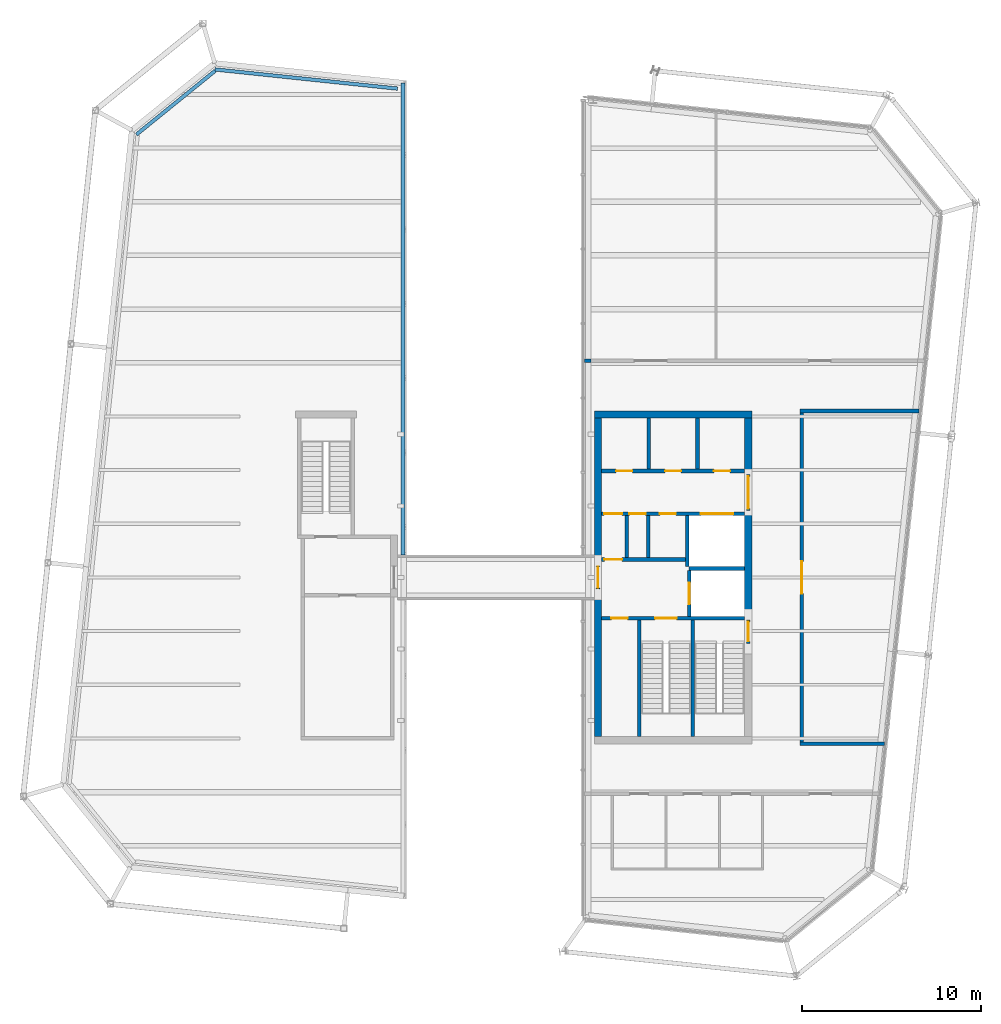
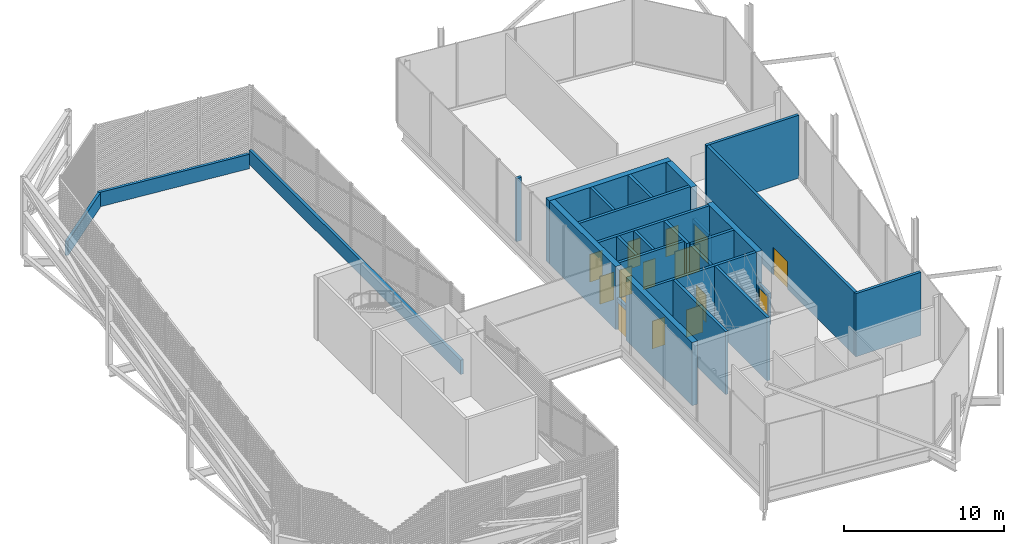
# One storey, part 11 of 15: 28 walls, 15 doors, 15 openings.
"""IFC4 building model written with IfcOpenShell, lengths in metres."""

from ifc_helpers import new_model, si_unit, direction, frame, frame_2d, origin, place, context, subcontext, project, spatial, rectangle, extrude, material, layer, layer_set, type_object, element, fill, save


model = new_model("IFC4")

# Units and contexts
model_context = context("Model", 3, precision=1e-05, world=origin(), true_north=direction((0.0, 1.0)))
body_context = subcontext(model_context, "Body", "Model", "MODEL_VIEW")
ifc_project = project(units=[si_unit("LENGTHUNIT", "METRE"), si_unit("AREAUNIT", "SQUARE_METRE"), si_unit("VOLUMEUNIT", "CUBIC_METRE"), si_unit("PLANEANGLEUNIT", "RADIAN"), si_unit("MASSUNIT", "GRAM", prefix="KILO")], contexts=[model_context])

# Site, building, storey
site_placement = place(None, origin())
site = spatial("IfcSite", under=ifc_project, at=site_placement, CompositionType="ELEMENT")
building_placement = place(site_placement, origin())
building = spatial("IfcBuilding", under=site, at=building_placement, Name="Millrace Tower", CompositionType="ELEMENT")
storey_placement = place(building_placement, frame((0.0, 0.0, 352.10009765625)))
storey = spatial("IfcBuildingStorey", under=building, at=storey_placement, Name="L81", CompositionType="ELEMENT", Elevation=352.10009765625)

# Walls
ifc_material_1 = material(Name="Concrete C60", Category="concrete")
ifc_layer_1 = layer(ifc_material_1, 0.39990234375)
ifc_layer_set_1 = layer_set([ifc_layer_1], Name="Concrete C60")
wall_type_1 = type_object("IfcWallType", Name="Core wall 400 Concrete C60", PredefinedType="SHEAR", material=ifc_layer_set_1)
wall_1_placement = place(storey_placement, frame((14.300048828125, 9.10009765625, 0.0), z_axis=(0.0, 0.0, 1.0), x_axis=(-1.0, 0.0, 0.0)))
element("IfcWall", 1, at=wall_1_placement, inside=storey, type_object=wall_type_1, Name="Core wall E L81", PredefinedType="SHEAR", context=body_context, shape_type="SweptSolid", body=[
    extrude(rectangle(XDim=8.800048828125, YDim=0.39990234375, at=frame_2d((4.39990234375, 0.0))), origin(), (0.0, 0.0, 1.0), 4.7998046875),
])
wall_2_placement = place(storey_placement, frame((14.10009765625, 8.89990234375, 0.0), z_axis=(0.0, 0.0, 1.0), x_axis=(0.0, -1.0, 0.0)))
element("IfcWall", 2, at=wall_2_placement, inside=storey, type_object=wall_type_1, Name="Core wall E L81", PredefinedType="SHEAR", context=body_context, shape_type="SweptSolid", body=[
    extrude(rectangle(XDim=3.14990234375, YDim=0.39990234375, at=frame_2d((1.574951171875, 0.0))), origin(), (0.0, 0.0, 1.0), 4.7998046875),
])
wall_3_placement = place(storey_placement, frame((14.10009765625, 3.75, 0.0), z_axis=(0.0, 0.0, 1.0), x_axis=(0.0, -1.0, 0.0)))
element("IfcWall", 3, at=wall_3_placement, inside=storey, type_object=wall_type_1, Name="Core wall E L81", PredefinedType="SHEAR", context=body_context, shape_type="SweptSolid", body=[
    extrude(rectangle(XDim=6.1298828125, YDim=0.39990234375, at=frame_2d((3.06494140625, 0.0))), origin(), (0.0, 0.0, 1.0), 4.7998046875),
])
for number, where, z_axis, x_axis, name in (
    (4, (5.699951171875, 8.89990234375, 0.0), (0.0, 0.0, 1.0), (0.0, -1.0, 0.0), "Core wall E L81"),
    (5, (5.699951171875, -0.64990234375, 0.0), (0.0, 0.0, 1.0), (0.0, -1.0, 0.0), "Core wall E L81"),
):
    element("IfcWall", number, at=place(storey_placement, frame(where, z_axis=z_axis, x_axis=x_axis)), inside=storey, type_object=wall_type_1, Name=name, PredefinedType="SHEAR", context=body_context, shape_type="SweptSolid", body=[
        extrude(rectangle(XDim=8.25, YDim=0.39990234375, at=frame_2d((4.125, 0.0))), origin(), (0.0, 0.0, 1.0), 4.7998046875),
    ])
ifc_material_2 = material(Name="Masonry partition, fire-rated", Category="masonry")
ifc_layer_2 = layer(ifc_material_2, 0.199951171875)
ifc_layer_set_2 = layer_set([ifc_layer_2], Name="Masonry partition, fire-rated")
wall_type_2 = type_object("IfcWallType", Name="Corridor wall 200", PredefinedType="PARTITIONING", material=ifc_layer_set_2)
wall_4_placement = place(storey_placement, frame((17.0, -9.300048828125, 0.0), z_axis=(0.0, 0.0, 1.0), x_axis=(1.0, 0.0, 0.0)))
element("IfcWall", 6, at=wall_4_placement, inside=storey, type_object=wall_type_2, Name="Corridor wall L81", PredefinedType="PARTITIONING", context=body_context, shape_type="SweptSolid", body=[
    extrude(rectangle(XDim=4.700927734375, YDim=0.199951171875, at=frame_2d((2.3505859375, 0.0))), origin(), (0.0, 0.0, 1.0), 4.7998046875),
])
wall_5_placement = place(storey_placement, frame((17.0, 9.300048828125, 0.0), z_axis=(0.0, 0.0, 1.0), x_axis=(1.0, 0.0, 0.0)))
element("IfcWall", 7, at=wall_5_placement, inside=storey, type_object=wall_type_2, Name="Corridor wall L81", PredefinedType="PARTITIONING", context=body_context, shape_type="SweptSolid", body=[
    extrude(rectangle(XDim=6.656005859375, YDim=0.199951171875, at=frame_2d((3.328125, 0.0))), origin(), (0.0, 0.0, 1.0), 4.7998046875),
])
wall_6_placement = place(storey_placement, frame((4.93994140625, 12.10009765625, 0.0), z_axis=(0.0, 0.0, 1.0), x_axis=(1.0, 0.0, 0.0)))
element("IfcWall", 8, at=wall_6_placement, inside=storey, type_object=wall_type_2, Name="Corridor wall L81", PredefinedType="PARTITIONING", context=body_context, shape_type="SweptSolid", body=[
    extrude(rectangle(XDim=0.367431640625, YDim=0.199951171875, at=frame_2d((0.18359375, 0.0))), origin(), (0.0, 0.0, 1.0), 4.7998046875),
])

# Wall, opening, door
wall_7_placement = place(storey_placement, frame((17.10009765625, -9.199951171875, 0.0), z_axis=(0.0, 0.0, 1.0), x_axis=(0.0, 1.0, 0.0)))
wall_7 = element("IfcWall", 9, at=wall_7_placement, inside=storey, type_object=wall_type_2, Name="Corridor wall L81", PredefinedType="PARTITIONING", context=body_context, shape_type="SweptSolid", body=[
    extrude(rectangle(XDim=18.39990234375, YDim=0.199951171875, at=frame_2d((9.199951171875, 0.0))), origin(), (0.0, 0.0, 1.0), 4.7998046875),
])
opening_1_placement = place(wall_7_placement, frame((8.300048828125, 0.0, 0.0)))
opening_1 = element("IfcOpeningElement", 10, at=opening_1_placement, cuts=wall_7, Name="Opening 81-P003", PredefinedType="OPENING", context=body_context, shape_type="SweptSolid", body=[
    extrude(rectangle(XDim=1.800048828125, YDim=2.10009765625, at=frame_2d((0.89990234375, 1.050048828125))), frame((0.0, 0.10986328125, 0.0), z_axis=(0.0, -1.0, 0.0), x_axis=(1.0, 0.0, 0.0)), (0.0, 0.0, 1.0), 0.219970703125),
])
ifc_material_3 = material(Name="Steel door set, fire-rated", Category="steel")
door_type_1 = type_object("IfcDoorType", Name="Corridor door 1800 x 2100", OperationType="DOUBLE_DOOR_SINGLE_SWING", PredefinedType="DOOR", material=ifc_material_3)
door_1_placement = place(opening_1_placement, frame((1.800048828125, 0.0, 0.0), z_axis=(0.0, 0.0, 1.0), x_axis=(-1.0, 0.0, 0.0)))
door_1 = element("IfcDoor", 11, at=door_1_placement, inside=storey, type_object=door_type_1, Name="Door 81-P003", OperationType="DOUBLE_DOOR_SINGLE_SWING", OverallHeight=2.10009765625, OverallWidth=1.800048828125, PredefinedType="DOOR", context=body_context, shape_type="SweptSolid", body=[
    extrude(rectangle(XDim=1.800048828125, YDim=2.10009765625, at=frame_2d((0.89990234375, 1.050048828125))), frame((0.0, 0.02490234375, 0.0), z_axis=(0.0, -1.0, 0.0), x_axis=(1.0, 0.0, 0.0)), (0.0, 0.0, 1.0), 0.050048828125),
])
fill(opening_1, door_1)

# Wall, openings, doors
ifc_material_4 = material(Name="Masonry partition, fire-rated", Category="masonry")
ifc_layer_3 = layer(ifc_material_4, 0.199951171875)
ifc_layer_set_3 = layer_set([ifc_layer_3], Name="Masonry partition, fire-rated")
wall_type_3 = type_object("IfcWallType", Name="Lift shaft wall 200", PredefinedType="PARTITIONING", material=ifc_layer_set_3)
wall_8_placement = place(storey_placement, frame((13.89990234375, 5.949951171875, 0.0), z_axis=(0.0, 0.0, 1.0), x_axis=(-1.0, 0.0, 0.0)))
wall_8 = element("IfcWall", 12, at=wall_8_placement, inside=storey, type_object=wall_type_3, Name="Lift shaft wall E L81", PredefinedType="PARTITIONING", context=body_context, shape_type="SweptSolid", body=[
    extrude(rectangle(XDim=8.0, YDim=0.199951171875, at=frame_2d((4.0, 0.0))), origin(), (0.0, 0.0, 1.0), 4.7998046875),
])
opening_2_placement = place(wall_8_placement, frame((0.820068359375, 0.0, 0.0)))
opening_2 = element("IfcOpeningElement", 13, at=opening_2_placement, cuts=wall_8, Name="Opening 81-C007", PredefinedType="OPENING", context=body_context, shape_type="SweptSolid", body=[
    extrude(rectangle(XDim=0.89990234375, YDim=2.10009765625, at=frame_2d((0.449951171875, 1.050048828125))), frame((0.0, 0.10986328125, 0.0), z_axis=(0.0, -1.0, 0.0), x_axis=(1.0, 0.0, 0.0)), (0.0, 0.0, 1.0), 0.219970703125),
])
opening_3_placement = place(wall_8_placement, frame((3.550048828125, 0.0, 0.0)))
opening_3 = element("IfcOpeningElement", 14, at=opening_3_placement, cuts=wall_8, Name="Opening 81-C008", PredefinedType="OPENING", context=body_context, shape_type="SweptSolid", body=[
    extrude(rectangle(XDim=0.89990234375, YDim=2.10009765625, at=frame_2d((0.449951171875, 1.050048828125))), frame((0.0, 0.10986328125, 0.0), z_axis=(0.0, -1.0, 0.0), x_axis=(1.0, 0.0, 0.0)), (0.0, 0.0, 1.0), 0.219970703125),
])
opening_4_placement = place(wall_8_placement, frame((6.280029296875, 0.0, 0.0)))
opening_4 = element("IfcOpeningElement", 15, at=opening_4_placement, cuts=wall_8, Name="Opening 81-C009", PredefinedType="OPENING", context=body_context, shape_type="SweptSolid", body=[
    extrude(rectangle(XDim=0.89990234375, YDim=2.10009765625, at=frame_2d((0.449951171875, 1.050048828125))), frame((0.0, 0.10986328125, 0.0), z_axis=(0.0, -1.0, 0.0), x_axis=(1.0, 0.0, 0.0)), (0.0, 0.0, 1.0), 0.219970703125),
])
ifc_material_5 = material(Name="Steel door, fire-rated", Category="steel")
door_type_2 = type_object("IfcDoorType", Name="Service room door 900 x 2100", OperationType="SINGLE_SWING_LEFT", PredefinedType="DOOR", material=ifc_material_5)
door_2_placement = place(opening_2_placement, frame((0.89990234375, 0.0, 0.0), z_axis=(0.0, 0.0, 1.0), x_axis=(-1.0, 0.0, 0.0)))
door_2 = element("IfcDoor", 16, at=door_2_placement, inside=storey, type_object=door_type_2, Name="Service room door 81-C007", OperationType="SINGLE_SWING_RIGHT", OverallHeight=2.10009765625, OverallWidth=0.89990234375, PredefinedType="DOOR", context=body_context, shape_type="SweptSolid", body=[
    extrude(rectangle(XDim=0.89990234375, YDim=2.10009765625, at=frame_2d((0.449951171875, 1.050048828125))), frame((0.0, 0.02490234375, 0.0), z_axis=(0.0, -1.0, 0.0), x_axis=(1.0, 0.0, 0.0)), (0.0, 0.0, 1.0), 0.050048828125),
])
fill(opening_2, door_2)
door_3_placement = place(opening_3_placement, frame((0.89990234375, 0.0, 0.0), z_axis=(0.0, 0.0, 1.0), x_axis=(-1.0, 0.0, 0.0)))
door_3 = element("IfcDoor", 17, at=door_3_placement, inside=storey, type_object=door_type_2, Name="Service room door 81-C008", OperationType="SINGLE_SWING_RIGHT", OverallHeight=2.10009765625, OverallWidth=0.89990234375, PredefinedType="DOOR", context=body_context, shape_type="SweptSolid", body=[
    extrude(rectangle(XDim=0.89990234375, YDim=2.10009765625, at=frame_2d((0.449951171875, 1.050048828125))), frame((0.0, 0.02490234375, 0.0), z_axis=(0.0, -1.0, 0.0), x_axis=(1.0, 0.0, 0.0)), (0.0, 0.0, 1.0), 0.050048828125),
])
fill(opening_3, door_3)
door_4_placement = place(opening_4_placement, frame((0.89990234375, 0.0, 0.0), z_axis=(0.0, 0.0, 1.0), x_axis=(-1.0, 0.0, 0.0)))
door_4 = element("IfcDoor", 18, at=door_4_placement, inside=storey, type_object=door_type_2, Name="Service room door 81-C009", OperationType="SINGLE_SWING_LEFT", OverallHeight=2.10009765625, OverallWidth=0.89990234375, PredefinedType="DOOR", context=body_context, shape_type="SweptSolid", body=[
    extrude(rectangle(XDim=0.89990234375, YDim=2.10009765625, at=frame_2d((0.449951171875, 1.050048828125))), frame((0.0, 0.02490234375, 0.0), z_axis=(0.0, -1.0, 0.0), x_axis=(1.0, 0.0, 0.0)), (0.0, 0.0, 1.0), 0.050048828125),
])
fill(opening_4, door_4)

wall_9_placement = place(storey_placement, frame((13.89990234375, 3.550048828125, 0.0), z_axis=(0.0, 0.0, 1.0), x_axis=(-1.0, 0.0, 0.0)))
wall_9 = element("IfcWall", 19, at=wall_9_placement, inside=storey, type_object=wall_type_3, Name="Lift shaft wall E L81", PredefinedType="PARTITIONING", context=body_context, shape_type="SweptSolid", body=[
    extrude(rectangle(XDim=8.0, YDim=0.199951171875, at=frame_2d((4.0, 0.0))), origin(), (0.0, 0.0, 1.0), 4.7998046875),
])
opening_5_placement = place(wall_9_placement, frame((0.64990234375, 0.0, 0.0)))
opening_5 = element("IfcOpeningElement", 20, at=opening_5_placement, cuts=wall_9, Name="Opening 81-LD13", PredefinedType="OPENING", context=body_context, shape_type="SweptSolid", body=[
    extrude(rectangle(XDim=1.800048828125, YDim=2.10009765625, at=frame_2d((0.89990234375, 1.050048828125))), frame((0.0, 0.10986328125, 0.0), z_axis=(0.0, -1.0, 0.0), x_axis=(1.0, 0.0, 0.0)), (0.0, 0.0, 1.0), 0.219970703125),
])
opening_6_placement = place(wall_9_placement, frame((3.840087890625, 0.0, 0.0)))
opening_6 = element("IfcOpeningElement", 21, at=opening_6_placement, cuts=wall_9, Name="Opening 81-C010", PredefinedType="OPENING", context=body_context, shape_type="SweptSolid", body=[
    extrude(rectangle(XDim=0.89990234375, YDim=2.10009765625, at=frame_2d((0.449951171875, 1.050048828125))), frame((0.0, 0.10986328125, 0.0), z_axis=(0.0, -1.0, 0.0), x_axis=(1.0, 0.0, 0.0)), (0.0, 0.0, 1.0), 0.219970703125),
])
opening_7_placement = place(wall_9_placement, frame((5.5400390625, 0.0, 0.0)))
opening_7 = element("IfcOpeningElement", 22, at=opening_7_placement, cuts=wall_9, Name="Opening 81-C011", PredefinedType="OPENING", context=body_context, shape_type="SweptSolid", body=[
    extrude(rectangle(XDim=0.89990234375, YDim=2.10009765625, at=frame_2d((0.449951171875, 1.050048828125))), frame((0.0, 0.10986328125, 0.0), z_axis=(0.0, -1.0, 0.0), x_axis=(1.0, 0.0, 0.0)), (0.0, 0.0, 1.0), 0.219970703125),
])
opening_8_placement = place(wall_9_placement, frame((6.85009765625, 0.0, 0.0)))
opening_8 = element("IfcOpeningElement", 23, at=opening_8_placement, cuts=wall_9, Name="Opening 81-C012", PredefinedType="OPENING", context=body_context, shape_type="SweptSolid", body=[
    extrude(rectangle(XDim=1.0, YDim=2.10009765625, at=frame_2d((0.5, 1.050048828125))), frame((0.0, 0.10986328125, 0.0), z_axis=(0.0, -1.0, 0.0), x_axis=(1.0, 0.0, 0.0)), (0.0, 0.0, 1.0), 0.219970703125),
])
ifc_material_6 = material(Name="Stainless steel, fire-rated", Category="steel")
door_type_3 = type_object("IfcDoorType", Name="Lift landing door 1800 x 2100", OperationType="DOUBLE_DOOR_SLIDING", PredefinedType="DOOR", material=ifc_material_6)
door_5_placement = place(opening_5_placement, origin())
door_5 = element("IfcDoor", 24, at=door_5_placement, inside=storey, type_object=door_type_3, Name="Lift landing door LF13 L81", OperationType="DOUBLE_DOOR_SLIDING", OverallHeight=2.10009765625, OverallWidth=1.800048828125, PredefinedType="DOOR", context=body_context, shape_type="SweptSolid", body=[
    extrude(rectangle(XDim=1.800048828125, YDim=2.10009765625, at=frame_2d((0.89990234375, 1.050048828125))), frame((0.0, 0.02490234375, 0.0), z_axis=(0.0, -1.0, 0.0), x_axis=(1.0, 0.0, 0.0)), (0.0, 0.0, 1.0), 0.050048828125),
])
fill(opening_5, door_5)
ifc_material_7 = material(Name="Steel door, fire-rated", Category="steel")
door_type_4 = type_object("IfcDoorType", Name="Lobby door 1000 x 2100", OperationType="SINGLE_SWING_LEFT", PredefinedType="DOOR", material=ifc_material_7)
door_6_placement = place(opening_8_placement, origin())
door_6 = element("IfcDoor", 25, at=door_6_placement, inside=storey, type_object=door_type_4, Name="Lobby door 81-C012", OperationType="SINGLE_SWING_LEFT", OverallHeight=2.10009765625, OverallWidth=1.0, PredefinedType="DOOR", context=body_context, shape_type="SweptSolid", body=[
    extrude(rectangle(XDim=1.0, YDim=2.10009765625, at=frame_2d((0.5, 1.050048828125))), frame((0.0, 0.02490234375, 0.0), z_axis=(0.0, -1.0, 0.0), x_axis=(1.0, 0.0, 0.0)), (0.0, 0.0, 1.0), 0.050048828125),
])
fill(opening_8, door_6)
door_7_placement = place(opening_6_placement, origin())
door_7 = element("IfcDoor", 26, at=door_7_placement, inside=storey, type_object=door_type_2, Name="Service room door 81-C010", OperationType="SINGLE_SWING_RIGHT", OverallHeight=2.10009765625, OverallWidth=0.89990234375, PredefinedType="DOOR", context=body_context, shape_type="SweptSolid", body=[
    extrude(rectangle(XDim=0.89990234375, YDim=2.10009765625, at=frame_2d((0.449951171875, 1.050048828125))), frame((0.0, 0.02490234375, 0.0), z_axis=(0.0, -1.0, 0.0), x_axis=(1.0, 0.0, 0.0)), (0.0, 0.0, 1.0), 0.050048828125),
])
fill(opening_6, door_7)
door_8_placement = place(opening_7_placement, origin())
door_8 = element("IfcDoor", 27, at=door_8_placement, inside=storey, type_object=door_type_2, Name="Service room door 81-C011", OperationType="SINGLE_SWING_RIGHT", OverallHeight=2.10009765625, OverallWidth=0.89990234375, PredefinedType="DOOR", context=body_context, shape_type="SweptSolid", body=[
    extrude(rectangle(XDim=0.89990234375, YDim=2.10009765625, at=frame_2d((0.449951171875, 1.050048828125))), frame((0.0, 0.02490234375, 0.0), z_axis=(0.0, -1.0, 0.0), x_axis=(1.0, 0.0, 0.0)), (0.0, 0.0, 1.0), 0.050048828125),
])
fill(opening_7, door_8)

# Wall
wall_10_placement = place(storey_placement, frame((13.89990234375, 0.5, 0.0), z_axis=(0.0, 0.0, 1.0), x_axis=(-1.0, 0.0, 0.0)))
element("IfcWall", 28, at=wall_10_placement, inside=storey, type_object=wall_type_3, Name="Lift shaft wall E L81", PredefinedType="PARTITIONING", context=body_context, shape_type="SweptSolid", body=[
    extrude(rectangle(XDim=3.099853515625, YDim=0.199951171875, at=frame_2d((1.5498046875, 0.0))), origin(), (0.0, 0.0, 1.0), 4.7998046875),
])

# Wall, opening, door
wall_11_placement = place(storey_placement, frame((10.800048828125, 1.0, 0.0), z_axis=(0.0, 0.0, 1.0), x_axis=(-1.0, 0.0, 0.0)))
wall_11 = element("IfcWall", 29, at=wall_11_placement, inside=storey, type_object=wall_type_3, Name="Lift shaft wall E L81", PredefinedType="PARTITIONING", context=body_context, shape_type="SweptSolid", body=[
    extrude(rectangle(XDim=4.900146484375, YDim=0.199951171875, at=frame_2d((2.4501953125, 0.0))), origin(), (0.0, 0.0, 1.0), 4.7998046875),
])
opening_9_placement = place(wall_11_placement, frame((3.75, 0.0, 0.0)))
opening_9 = element("IfcOpeningElement", 30, at=opening_9_placement, cuts=wall_11, Name="Opening 81-C013", PredefinedType="OPENING", context=body_context, shape_type="SweptSolid", body=[
    extrude(rectangle(XDim=1.0, YDim=2.10009765625, at=frame_2d((0.5, 1.050048828125))), frame((0.0, 0.10986328125, 0.0), z_axis=(0.0, -1.0, 0.0), x_axis=(1.0, 0.0, 0.0)), (0.0, 0.0, 1.0), 0.219970703125),
])
door_9_placement = place(opening_9_placement, origin())
door_9 = element("IfcDoor", 31, at=door_9_placement, inside=storey, type_object=door_type_4, Name="Lobby door 81-C013", OperationType="SINGLE_SWING_LEFT", OverallHeight=2.10009765625, OverallWidth=1.0, PredefinedType="DOOR", context=body_context, shape_type="SweptSolid", body=[
    extrude(rectangle(XDim=1.0, YDim=2.10009765625, at=frame_2d((0.5, 1.050048828125))), frame((0.0, 0.02490234375, 0.0), z_axis=(0.0, -1.0, 0.0), x_axis=(1.0, 0.0, 0.0)), (0.0, 0.0, 1.0), 0.050048828125),
])
fill(opening_9, door_9)

wall_12_placement = place(storey_placement, frame((10.800048828125, 0.39990234375, 0.0), z_axis=(0.0, 0.0, 1.0), x_axis=(0.0, -1.0, 0.0)))
wall_12 = element("IfcWall", 32, at=wall_12_placement, inside=storey, type_object=wall_type_3, Name="Lift shaft wall E L81", PredefinedType="PARTITIONING", context=body_context, shape_type="SweptSolid", body=[
    extrude(rectangle(XDim=2.579833984375, YDim=0.199951171875, at=frame_2d((1.2900390625, 0.0))), origin(), (0.0, 0.0, 1.0), 4.7998046875),
])
opening_10_placement = place(wall_12_placement, frame((0.68994140625, 0.0, 0.0)))
opening_10 = element("IfcOpeningElement", 33, at=opening_10_placement, cuts=wall_12, Name="Opening 81-LD16", PredefinedType="OPENING", context=body_context, shape_type="SweptSolid", body=[
    extrude(rectangle(XDim=1.199951171875, YDim=2.10009765625, at=frame_2d((0.60009765625, 1.050048828125))), frame((0.0, 0.10986328125, 0.0), z_axis=(0.0, -1.0, 0.0), x_axis=(1.0, 0.0, 0.0)), (0.0, 0.0, 1.0), 0.219970703125),
])
ifc_material_8 = material(Name="Stainless steel, fire-rated", Category="steel")
door_type_5 = type_object("IfcDoorType", Name="Lift landing door 1200 x 2100", OperationType="DOUBLE_DOOR_SLIDING", PredefinedType="DOOR", material=ifc_material_8)
door_10_placement = place(opening_10_placement, origin())
door_10 = element("IfcDoor", 34, at=door_10_placement, inside=storey, type_object=door_type_5, Name="Lift landing door LF16 L81", OperationType="DOUBLE_DOOR_SLIDING", OverallHeight=2.10009765625, OverallWidth=1.199951171875, PredefinedType="DOOR", context=body_context, shape_type="SweptSolid", body=[
    extrude(rectangle(XDim=1.199951171875, YDim=2.10009765625, at=frame_2d((0.60009765625, 1.050048828125))), frame((0.0, 0.02490234375, 0.0), z_axis=(0.0, -1.0, 0.0), x_axis=(1.0, 0.0, 0.0)), (0.0, 0.0, 1.0), 0.050048828125),
])
fill(opening_10, door_10)

# Walls
wall_13_placement = place(storey_placement, frame((10.699951171875, 3.449951171875, 0.0), z_axis=(0.0, 0.0, 1.0), x_axis=(0.0, -1.0, 0.0)))
element("IfcWall", 35, at=wall_13_placement, inside=storey, type_object=wall_type_3, Name="Lift shaft wall E L81", PredefinedType="PARTITIONING", context=body_context, shape_type="SweptSolid", body=[
    extrude(rectangle(XDim=2.849853515625, YDim=0.199951171875, at=frame_2d((1.4248046875, 0.0))), origin(), (0.0, 0.0, 1.0), 4.7998046875),
])
wall_14_placement = place(storey_placement, frame((7.300048828125, 3.449951171875, 0.0), z_axis=(0.0, 0.0, 1.0), x_axis=(0.0, -1.0, 0.0)))
element("IfcWall", 36, at=wall_14_placement, inside=storey, type_object=wall_type_3, Name="Lift shaft wall E L81", PredefinedType="PARTITIONING", context=body_context, shape_type="SweptSolid", body=[
    extrude(rectangle(XDim=2.349853515625, YDim=0.199951171875, at=frame_2d((1.1748046875, 0.0))), origin(), (0.0, 0.0, 1.0), 4.7998046875),
])

# Wall, opening, door
ifc_material_9 = material(Name="Masonry partition, fire-rated", Category="masonry")
ifc_layer_4 = layer(ifc_material_9, 0.199951171875)
ifc_layer_set_4 = layer_set([ifc_layer_4], Name="Masonry partition, fire-rated")
wall_type_4 = type_object("IfcWallType", Name="Lobby wall 200", PredefinedType="PARTITIONING", material=ifc_layer_set_4)
wall_15_placement = place(storey_placement, frame((14.10009765625, 5.75, 0.0), z_axis=(0.0, 0.0, 1.0), x_axis=(0.0, -1.0, 0.0)))
wall_15 = element("IfcWall", 37, at=wall_15_placement, inside=storey, type_object=wall_type_4, Name="Lobby wall E L81", PredefinedType="PARTITIONING", context=body_context, shape_type="SweptSolid", body=[
    extrude(rectangle(XDim=2.0, YDim=0.199951171875, at=frame_2d((1.0, 0.0))), origin(), (0.0, 0.0, 1.0), 2.39990234375),
])
opening_11_placement = place(wall_15_placement, frame((0.10009765625, 0.0, 0.0)))
opening_11 = element("IfcOpeningElement", 38, at=opening_11_placement, cuts=wall_15, Name="Opening 81-C004", PredefinedType="OPENING", context=body_context, shape_type="SweptSolid", body=[
    extrude(rectangle(XDim=1.800048828125, YDim=2.10009765625, at=frame_2d((0.89990234375, 1.050048828125))), frame((0.0, 0.10986328125, 0.0), z_axis=(0.0, -1.0, 0.0), x_axis=(1.0, 0.0, 0.0)), (0.0, 0.0, 1.0), 0.219970703125),
])
ifc_material_10 = material(Name="Steel door, fire-rated", Category="steel")
door_type_6 = type_object("IfcDoorType", Name="Lobby door 1800 x 2100", OperationType="DOUBLE_DOOR_SINGLE_SWING", PredefinedType="DOOR", material=ifc_material_10)
door_11_placement = place(opening_11_placement, origin())
door_11 = element("IfcDoor", 39, at=door_11_placement, inside=storey, type_object=door_type_6, Name="Lobby door 81-C004", OperationType="DOUBLE_DOOR_SINGLE_SWING", OverallHeight=2.10009765625, OverallWidth=1.800048828125, PredefinedType="DOOR", context=body_context, shape_type="SweptSolid", body=[
    extrude(rectangle(XDim=1.800048828125, YDim=2.10009765625, at=frame_2d((0.89990234375, 1.050048828125))), frame((0.0, 0.02490234375, 0.0), z_axis=(0.0, -1.0, 0.0), x_axis=(1.0, 0.0, 0.0)), (0.0, 0.0, 1.0), 0.050048828125),
])
fill(opening_11, door_11)

wall_16_placement = place(storey_placement, frame((5.699951171875, 0.64990234375, 0.0), z_axis=(0.0, 0.0, 1.0), x_axis=(0.0, -1.0, 0.0)))
wall_16 = element("IfcWall", 40, at=wall_16_placement, inside=storey, type_object=wall_type_4, Name="Lobby wall E L81", PredefinedType="PARTITIONING", context=body_context, shape_type="SweptSolid", body=[
    extrude(rectangle(XDim=1.2998046875, YDim=0.199951171875, at=frame_2d((0.64990234375, 0.0))), origin(), (0.0, 0.0, 1.0), 2.39990234375),
])
opening_12_placement = place(wall_16_placement, frame((0.050048828125, 0.0, 0.0)))
opening_12 = element("IfcOpeningElement", 41, at=opening_12_placement, cuts=wall_16, Name="Opening 81-C006", PredefinedType="OPENING", context=body_context, shape_type="SweptSolid", body=[
    extrude(rectangle(XDim=1.199951171875, YDim=2.10009765625, at=frame_2d((0.60009765625, 1.050048828125))), frame((0.0, 0.10986328125, 0.0), z_axis=(0.0, -1.0, 0.0), x_axis=(1.0, 0.0, 0.0)), (0.0, 0.0, 1.0), 0.219970703125),
])
ifc_material_11 = material(Name="Steel door, fire-rated", Category="steel")
door_type_7 = type_object("IfcDoorType", Name="Lobby door 1200 x 2100", OperationType="SINGLE_SWING_LEFT", PredefinedType="DOOR", material=ifc_material_11)
door_12_placement = place(opening_12_placement, origin())
door_12 = element("IfcDoor", 42, at=door_12_placement, inside=storey, type_object=door_type_7, Name="Lobby door 81-C006", OperationType="SINGLE_SWING_LEFT", OverallHeight=2.10009765625, OverallWidth=1.199951171875, PredefinedType="DOOR", context=body_context, shape_type="SweptSolid", body=[
    extrude(rectangle(XDim=1.199951171875, YDim=2.10009765625, at=frame_2d((0.60009765625, 1.050048828125))), frame((0.0, 0.02490234375, 0.0), z_axis=(0.0, -1.0, 0.0), x_axis=(1.0, 0.0, 0.0)), (0.0, 0.0, 1.0), 0.050048828125),
])
fill(opening_12, door_12)

# Walls
ifc_material_12 = material(Name="Concrete C40", Category="concrete")
ifc_layer_5 = layer(ifc_material_12, 0.199951171875)
ifc_layer_set_5 = layer_set([ifc_layer_5], Name="Concrete C40")
wall_type_5 = type_object("IfcWallType", Name="Roof parapet 1100", PredefinedType="PARAPET", material=ifc_layer_set_5)
wall_17_placement = place(storey_placement, frame((-5.5, 27.321533203125, 0.0), z_axis=(0.0, 0.0, 1.0), x_axis=(-0.994520158251, 0.104544989513, 0.0)))
element("IfcWall", 43, at=wall_17_placement, inside=storey, type_object=wall_type_5, Name="Roof parapet SL-CROWN-L81-SW 1", PredefinedType="PARAPET", context=body_context, shape_type="SweptSolid", body=[
    extrude(rectangle(XDim=10.27294921875, YDim=0.199951171875, at=frame_2d((5.136474609375, 0.0))), origin(), (0.0, 0.0, 1.0), 1.099853515625),
])
wall_18_placement = place(storey_placement, frame((-15.69482421875, 28.322021484375, 0.0), z_axis=(0.0, 0.0, 1.0), x_axis=(-0.777160587785, -0.629302328609, 0.0)))
element("IfcWall", 44, at=wall_18_placement, inside=storey, type_object=wall_type_5, Name="Roof parapet SL-CROWN-L81-SW 2", PredefinedType="PARAPET", context=body_context, shape_type="SweptSolid", body=[
    extrude(rectangle(XDim=5.666748046875, YDim=0.199951171875, at=frame_2d((2.83349609375, 0.0))), origin(), (0.0, 0.0, 1.0), 1.099853515625),
])
wall_19_placement = place(storey_placement, frame((-5.199951171875, 1.239990234375, 0.0), z_axis=(0.0, 0.0, 1.0), x_axis=(0.0, 1.0, 0.0)))
element("IfcWall", 45, at=wall_19_placement, inside=storey, type_object=wall_type_5, Name="Slot edge parapet W 1", PredefinedType="PARAPET", context=body_context, shape_type="SweptSolid", body=[
    extrude(rectangle(XDim=26.391845703125, YDim=0.199951171875, at=frame_2d((13.19580078125, 0.0))), origin(), (0.0, 0.0, 1.0), 1.099853515625),
])
ifc_material_13 = material(Name="Masonry partition, fire-rated", Category="masonry")
ifc_layer_6 = layer(ifc_material_13, 0.199951171875)
ifc_layer_set_6 = layer_set([ifc_layer_6], Name="Masonry partition, fire-rated")
wall_type_6 = type_object("IfcWallType", Name="Room partition 200", PredefinedType="PARTITIONING", material=ifc_layer_set_6)
for number, where, z_axis, x_axis, name in (
    (46, (11.260009765625, 8.89990234375, 0.0), (0.0, 0.0, 1.0), (0.0, -1.0, 0.0), "Room partition E L81"),
    (47, (8.5400390625, 8.89990234375, 0.0), (0.0, 0.0, 1.0), (0.0, -1.0, 0.0), "Room partition E L81"),
):
    element("IfcWall", number, at=place(storey_placement, frame(where, z_axis=z_axis, x_axis=x_axis)), inside=storey, type_object=wall_type_6, Name=name, PredefinedType="PARTITIONING", context=body_context, shape_type="SweptSolid", body=[
        extrude(rectangle(XDim=2.849853515625, YDim=0.199951171875, at=frame_2d((1.4248046875, 0.0))), origin(), (0.0, 0.0, 1.0), 4.7998046875),
    ])
wall_20_placement = place(storey_placement, frame((8.52001953125, 3.449951171875, 0.0), z_axis=(0.0, 0.0, 1.0), x_axis=(0.0, -1.0, 0.0)))
element("IfcWall", 48, at=wall_20_placement, inside=storey, type_object=wall_type_6, Name="Room partition E L81", PredefinedType="PARTITIONING", context=body_context, shape_type="SweptSolid", body=[
    extrude(rectangle(XDim=2.349853515625, YDim=0.199951171875, at=frame_2d((1.1748046875, 0.0))), origin(), (0.0, 0.0, 1.0), 4.7998046875),
])

# Wall, opening, door
ifc_material_14 = material(Name="Concrete C40", Category="concrete")
ifc_layer_7 = layer(ifc_material_14, 0.199951171875)
ifc_layer_set_7 = layer_set([ifc_layer_7], Name="Concrete C40")
wall_type_7 = type_object("IfcWallType", Name="Stair enclosure wall 200 Concrete C40", PredefinedType="SHEAR", material=ifc_layer_set_7)
wall_21_placement = place(storey_placement, frame((14.10009765625, -2.3798828125, 0.0), z_axis=(0.0, 0.0, 1.0), x_axis=(0.0, -1.0, 0.0)))
wall_21 = element("IfcWall", 49, at=wall_21_placement, inside=storey, type_object=wall_type_7, Name="Stair enclosure wall E L81", PredefinedType="SHEAR", context=body_context, shape_type="SweptSolid", body=[
    extrude(rectangle(XDim=1.300048828125, YDim=0.199951171875, at=frame_2d((0.64990234375, 0.0))), origin(), (0.0, 0.0, 1.0), 2.39990234375),
])
opening_13_placement = place(wall_21_placement, frame((0.10009765625, 0.0, 0.0)))
opening_13 = element("IfcOpeningElement", 50, at=opening_13_placement, cuts=wall_21, Name="Opening 81-C005", PredefinedType="OPENING", context=body_context, shape_type="SweptSolid", body=[
    extrude(rectangle(XDim=1.10009765625, YDim=2.10009765625, at=frame_2d((0.550048828125, 1.050048828125))), frame((0.0, 0.10986328125, 0.0), z_axis=(0.0, -1.0, 0.0), x_axis=(1.0, 0.0, 0.0)), (0.0, 0.0, 1.0), 0.219970703125),
])
ifc_material_15 = material(Name="Steel door, fire-rated", Category="steel")
door_type_8 = type_object("IfcDoorType", Name="Stair door 1100 x 2100", OperationType="SINGLE_SWING_LEFT", PredefinedType="DOOR", material=ifc_material_15)
door_13_placement = place(opening_13_placement, origin())
door_13 = element("IfcDoor", 51, at=door_13_placement, inside=storey, type_object=door_type_8, Name="Stair door 81-C005", OperationType="SINGLE_SWING_RIGHT", OverallHeight=2.10009765625, OverallWidth=1.10009765625, PredefinedType="DOOR", context=body_context, shape_type="SweptSolid", body=[
    extrude(rectangle(XDim=1.10009765625, YDim=2.10009765625, at=frame_2d((0.550048828125, 1.050048828125))), frame((0.0, 0.02490234375, 0.0), z_axis=(0.0, -1.0, 0.0), x_axis=(1.0, 0.0, 0.0)), (0.0, 0.0, 1.0), 0.050048828125),
])
fill(opening_13, door_13)

# Wall, openings, doors
wall_22_placement = place(storey_placement, frame((13.89990234375, -2.280029296875, 0.0), z_axis=(0.0, 0.0, 1.0), x_axis=(-1.0, 0.0, 0.0)))
wall_22 = element("IfcWall", 52, at=wall_22_placement, inside=storey, type_object=wall_type_7, Name="Stair enclosure wall E L81", PredefinedType="SHEAR", context=body_context, shape_type="SweptSolid", body=[
    extrude(rectangle(XDim=8.0, YDim=0.199951171875, at=frame_2d((4.0, 0.0))), origin(), (0.0, 0.0, 1.0), 4.7998046875),
])
opening_14_placement = place(wall_22_placement, frame((3.800048828125, 0.0, 0.0)))
opening_14 = element("IfcOpeningElement", 53, at=opening_14_placement, cuts=wall_22, Name="Opening 81-C014", PredefinedType="OPENING", context=body_context, shape_type="SweptSolid", body=[
    extrude(rectangle(XDim=1.199951171875, YDim=2.10009765625, at=frame_2d((0.60009765625, 1.050048828125))), frame((0.0, 0.10986328125, 0.0), z_axis=(0.0, -1.0, 0.0), x_axis=(1.0, 0.0, 0.0)), (0.0, 0.0, 1.0), 0.219970703125),
])
opening_15_placement = place(wall_22_placement, frame((6.550048828125, 0.0, 0.0)))
opening_15 = element("IfcOpeningElement", 54, at=opening_15_placement, cuts=wall_22, Name="Opening 81-C015", PredefinedType="OPENING", context=body_context, shape_type="SweptSolid", body=[
    extrude(rectangle(XDim=0.89990234375, YDim=2.10009765625, at=frame_2d((0.449951171875, 1.050048828125))), frame((0.0, 0.10986328125, 0.0), z_axis=(0.0, -1.0, 0.0), x_axis=(1.0, 0.0, 0.0)), (0.0, 0.0, 1.0), 0.219970703125),
])
door_14_placement = place(opening_15_placement, origin())
door_14 = element("IfcDoor", 55, at=door_14_placement, inside=storey, type_object=door_type_2, Name="Service room door 81-C015", OperationType="SINGLE_SWING_RIGHT", OverallHeight=2.10009765625, OverallWidth=0.89990234375, PredefinedType="DOOR", context=body_context, shape_type="SweptSolid", body=[
    extrude(rectangle(XDim=0.89990234375, YDim=2.10009765625, at=frame_2d((0.449951171875, 1.050048828125))), frame((0.0, 0.02490234375, 0.0), z_axis=(0.0, -1.0, 0.0), x_axis=(1.0, 0.0, 0.0)), (0.0, 0.0, 1.0), 0.050048828125),
])
fill(opening_15, door_14)
ifc_material_16 = material(Name="Steel door, fire-rated", Category="steel")
door_type_9 = type_object("IfcDoorType", Name="Stair door 1200 x 2100", OperationType="SINGLE_SWING_LEFT", PredefinedType="DOOR", material=ifc_material_16)
door_15_placement = place(opening_14_placement, frame((1.199951171875, 0.0, 0.0), z_axis=(0.0, 0.0, 1.0), x_axis=(-1.0, 0.0, 0.0)))
door_15 = element("IfcDoor", 56, at=door_15_placement, inside=storey, type_object=door_type_9, Name="Stair door 81-C014", OperationType="SINGLE_SWING_LEFT", OverallHeight=2.10009765625, OverallWidth=1.199951171875, PredefinedType="DOOR", context=body_context, shape_type="SweptSolid", body=[
    extrude(rectangle(XDim=1.199951171875, YDim=2.10009765625, at=frame_2d((0.60009765625, 1.050048828125))), frame((0.0, 0.02490234375, 0.0), z_axis=(0.0, -1.0, 0.0), x_axis=(1.0, 0.0, 0.0)), (0.0, 0.0, 1.0), 0.050048828125),
])
fill(opening_14, door_15)

# Walls
for number, where, z_axis, x_axis, name in (
    (57, (11.0, -2.3798828125, 0.0), (0.0, 0.0, 1.0), (0.0, -1.0, 0.0), "Stair enclosure wall E L81"),
    (58, (8.0, -2.3798828125, 0.0), (0.0, 0.0, 1.0), (0.0, -1.0, 0.0), "Stair enclosure wall E L81"),
):
    element("IfcWall", number, at=place(storey_placement, frame(where, z_axis=z_axis, x_axis=x_axis)), inside=storey, type_object=wall_type_7, Name=name, PredefinedType="SHEAR", context=body_context, shape_type="SweptSolid", body=[
        extrude(rectangle(XDim=6.52001953125, YDim=0.199951171875, at=frame_2d((3.260009765625, 0.0))), origin(), (0.0, 0.0, 1.0), 4.7998046875),
    ])

save(model, "model.ifc")
